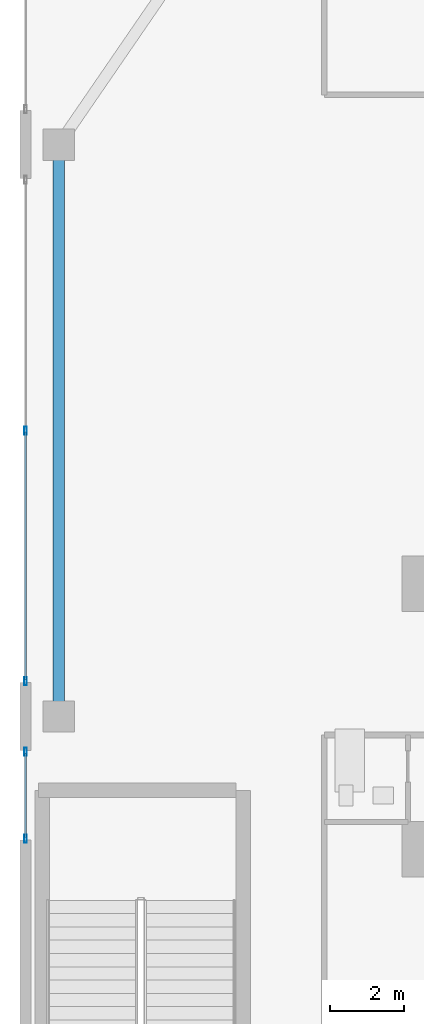
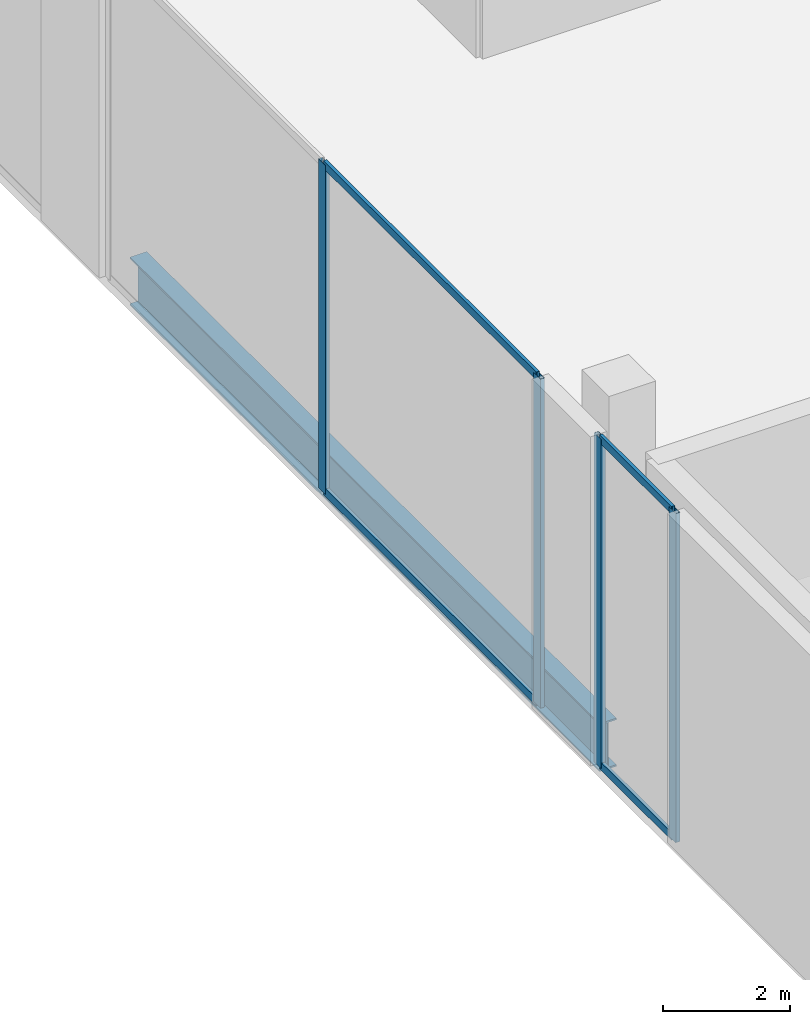
# One storey, part 6 of 30: 8 members, 1 beam, 2 elements without a shape of their own.
"""IFC4 building model written with IfcOpenShell, lengths in metres."""

from ifc_helpers import new_model, si_unit, direction, frame, origin, origin_2d, place, context, subcontext, project, spatial, hollow_rectangle, i_section, extrude, material, layer, layer_set, material_profile, profile_set, type_object, element, aggregate, save


model = new_model("IFC4")

# Units and contexts
model_context = context("Model", 3, precision=1e-05, world=origin(), true_north=direction((0.0, 1.0)))
body_context = subcontext(model_context, "Body", "Model", "MODEL_VIEW")
ifc_project = project(units=[si_unit("LENGTHUNIT", "METRE"), si_unit("AREAUNIT", "SQUARE_METRE"), si_unit("VOLUMEUNIT", "CUBIC_METRE"), si_unit("PLANEANGLEUNIT", "RADIAN"), si_unit("MASSUNIT", "GRAM", prefix="KILO")], contexts=[model_context])

# Site, building, storey
site_placement = place(None, origin())
site = spatial("IfcSite", under=ifc_project, at=site_placement, CompositionType="ELEMENT")
building_placement = place(site_placement, origin())
building = spatial("IfcBuilding", under=site, at=building_placement, Name="Zuhayl Quay Hotel", CompositionType="ELEMENT")
storey_placement = place(building_placement, frame((0.0, 0.0, 11.39990234375)))
storey = spatial("IfcBuildingStorey", under=building, at=storey_placement, Name="L02", CompositionType="ELEMENT", Elevation=11.39990234375)

# Beam
ifc_material_1 = material(Name="Steel ASTM A992 Grade 50", Category="steel")
ifc_material_profile_1 = material_profile(ifc_material_1, i_section(OverallWidth=0.306884765625, OverallDepth=0.927001953125, WebThickness=0.019287109375, FlangeThickness=0.031982421875, at=origin_2d()), Name="W36X194")
ifc_profile_set_1 = profile_set([ifc_material_profile_1], Name="Steel ASTM A992 Grade 50")
beam_type = type_object("IfcBeamType", Name="BM_PG2_W36X194", PredefinedType="BEAM", material=ifc_profile_set_1)
beam_placement = place(storey_placement, frame((-35.10009765625, 0.340087890625, -0.723388671875), z_axis=(0.0, 1.0, 0.0), x_axis=(-1.0, 0.0, 0.0)))
element("IfcBeam", 1, at=beam_placement, inside=storey, type_object=beam_type, Name="L02 Floor Beam PG_W_L02_2", PredefinedType="BEAM", context=body_context, shape_type="SweptSolid", body=[
    extrude(i_section(OverallWidth=0.306884765625, OverallDepth=0.927001953125, WebThickness=0.019287109375, FlangeThickness=0.031982421875, at=origin_2d()), origin(), (0.0, 0.0, 1.0), 14.81982421875),
])

# Curtain wall, members
ifc_material_2 = material(Name="Anodised Aluminium 6063-T6", Category="aluminium")
ifc_layer = layer(ifc_material_2, 0.199951171875, Name="Anodised Aluminium 6063-T6", Category="aluminium")
ifc_layer_set = layer_set([ifc_layer], Name="Anodised Aluminium 6063-T6")
curtain_wall_type = type_object("IfcCurtainWallType", Name="CW_SYS_POD", PredefinedType="USERDEFINED", material=ifc_layer_set)
curtain_wall_1_placement = place(storey_placement, origin())
curtain_wall_1 = element("IfcCurtainWall", 2, at=curtain_wall_1_placement, inside=storey, type_object=curtain_wall_type, Name="L02 Curtain Wall ENV_L02_E02_CW2", ObjectType="UNITISED CURTAIN WALL", PredefinedType="USERDEFINED")
ifc_material_3 = material(Name="Black-anodised aluminium 6063-T6", Category="aluminium")
ifc_material_profile_2 = material_profile(ifc_material_3, hollow_rectangle(XDim=0.074951171875, YDim=0.219970703125, WallThickness=0.00390625, at=origin_2d()), Name="ALU220X75")
ifc_profile_set_2 = profile_set([ifc_material_profile_2], Name="Black-anodised aluminium 6063-T6")
member_type_1 = type_object("IfcMemberType", Name="MB_CW_MUL_220", PredefinedType="MULLION", material=ifc_profile_set_2)
member_1_placement = place(storey_placement, frame((-36.0, -3.3125, 0.0), z_axis=(0.0, 0.0, 1.0), x_axis=(-1.0, 0.0, 0.0)))
member_1 = element("IfcMember", 3, at=member_1_placement, type_object=member_type_1, Name="CW-POD mullion 1", PredefinedType="MULLION", context=body_context, shape_type="SweptSolid", body=[
    extrude(hollow_rectangle(XDim=0.074951171875, YDim=0.219970703125, WallThickness=0.00390625, at=origin_2d()), origin(), (0.0, 0.0, 1.0), 6.340087890625),
])
member_2_placement = place(storey_placement, frame((-36.0, -0.95751953125, 0.0), z_axis=(0.0, 0.0, 1.0), x_axis=(-1.0, 0.0, 0.0)))
member_2 = element("IfcMember", 4, at=member_2_placement, type_object=member_type_1, Name="CW-POD mullion 2", PredefinedType="MULLION", context=body_context, shape_type="SweptSolid", body=[
    extrude(hollow_rectangle(XDim=0.074951171875, YDim=0.219970703125, WallThickness=0.00390625, at=origin_2d()), origin(), (0.0, 0.0, 1.0), 6.340087890625),
])

curtain_wall_2_placement = place(storey_placement, origin())
curtain_wall_2 = element("IfcCurtainWall", 5, at=curtain_wall_2_placement, inside=storey, type_object=curtain_wall_type, Name="L02 Curtain Wall ENV_L02_E02_CW3", ObjectType="UNITISED CURTAIN WALL", PredefinedType="USERDEFINED")
member_3_placement = place(storey_placement, frame((-36.0, 0.95751953125, 0.0), z_axis=(0.0, 0.0, 1.0), x_axis=(-1.0, 0.0, 0.0)))
member_3 = element("IfcMember", 6, at=member_3_placement, type_object=member_type_1, Name="CW-POD mullion 1", PredefinedType="MULLION", context=body_context, shape_type="SweptSolid", body=[
    extrude(hollow_rectangle(XDim=0.074951171875, YDim=0.219970703125, WallThickness=0.00390625, at=origin_2d()), origin(), (0.0, 0.0, 1.0), 6.340087890625),
])
member_4_placement = place(storey_placement, frame((-36.0, 7.75, 0.0), z_axis=(0.0, 0.0, 1.0), x_axis=(-1.0, 0.0, 0.0)))
member_4 = element("IfcMember", 7, at=member_4_placement, type_object=member_type_1, Name="CW-POD mullion 2", PredefinedType="MULLION", context=body_context, shape_type="SweptSolid", body=[
    extrude(hollow_rectangle(XDim=0.074951171875, YDim=0.219970703125, WallThickness=0.00390625, at=origin_2d()), origin(), (0.0, 0.0, 1.0), 6.340087890625),
])

# Member
ifc_material_profile_3 = material_profile(ifc_material_3, hollow_rectangle(XDim=0.06005859375, YDim=0.14990234375, WallThickness=0.00341796875, at=origin_2d()), Name="ALU150X60")
ifc_profile_set_3 = profile_set([ifc_material_profile_3], Name="Black-anodised aluminium 6063-T6")
member_type_2 = type_object("IfcMemberType", Name="MB_CW_TRN_150", PredefinedType="USERDEFINED", material=ifc_profile_set_3)
member_5_placement = place(storey_placement, frame((-36.0, -3.27490234375, 0.030029296875), z_axis=(0.0, 1.0, 0.0), x_axis=(-1.0, 0.0, 0.0)))
member_5 = element("IfcMember", 8, at=member_5_placement, type_object=member_type_2, Name="CW-POD transom 1.1", ObjectType="TRANSOM", PredefinedType="USERDEFINED", context=body_context, shape_type="SweptSolid", body=[
    extrude(hollow_rectangle(XDim=0.06005859375, YDim=0.14990234375, WallThickness=0.00341796875, at=origin_2d()), origin(), (0.0, 0.0, 1.0), 2.27978515625),
])

member_6_placement = place(storey_placement, frame((-36.0, -3.27490234375, 6.31005859375), z_axis=(0.0, 1.0, 0.0), x_axis=(-1.0, 0.0, 0.0)))
member_6 = element("IfcMember", 9, at=member_6_placement, type_object=member_type_2, Name="CW-POD transom 1.2", ObjectType="TRANSOM", PredefinedType="USERDEFINED", context=body_context, shape_type="SweptSolid", body=[
    extrude(hollow_rectangle(XDim=0.06005859375, YDim=0.14990234375, WallThickness=0.00341796875, at=origin_2d()), origin(), (0.0, 0.0, 1.0), 2.27978515625),
])

aggregate(curtain_wall_1, [member_1, member_2, member_5, member_6])

member_7_placement = place(storey_placement, frame((-36.0, 0.9951171875, 0.030029296875), z_axis=(0.0, 1.0, 0.0), x_axis=(-1.0, 0.0, 0.0)))
member_7 = element("IfcMember", 10, at=member_7_placement, type_object=member_type_2, Name="CW-POD transom 1.1", ObjectType="TRANSOM", PredefinedType="USERDEFINED", context=body_context, shape_type="SweptSolid", body=[
    extrude(hollow_rectangle(XDim=0.06005859375, YDim=0.14990234375, WallThickness=0.00341796875, at=origin_2d()), origin(), (0.0, 0.0, 1.0), 6.71728515625),
])

member_8_placement = place(storey_placement, frame((-36.0, 0.9951171875, 6.31005859375), z_axis=(0.0, 1.0, 0.0), x_axis=(-1.0, 0.0, 0.0)))
member_8 = element("IfcMember", 11, at=member_8_placement, type_object=member_type_2, Name="CW-POD transom 1.2", ObjectType="TRANSOM", PredefinedType="USERDEFINED", context=body_context, shape_type="SweptSolid", body=[
    extrude(hollow_rectangle(XDim=0.06005859375, YDim=0.14990234375, WallThickness=0.00341796875, at=origin_2d()), origin(), (0.0, 0.0, 1.0), 6.71728515625),
])

aggregate(curtain_wall_2, [member_3, member_4, member_7, member_8])

save(model, "model.ifc")
